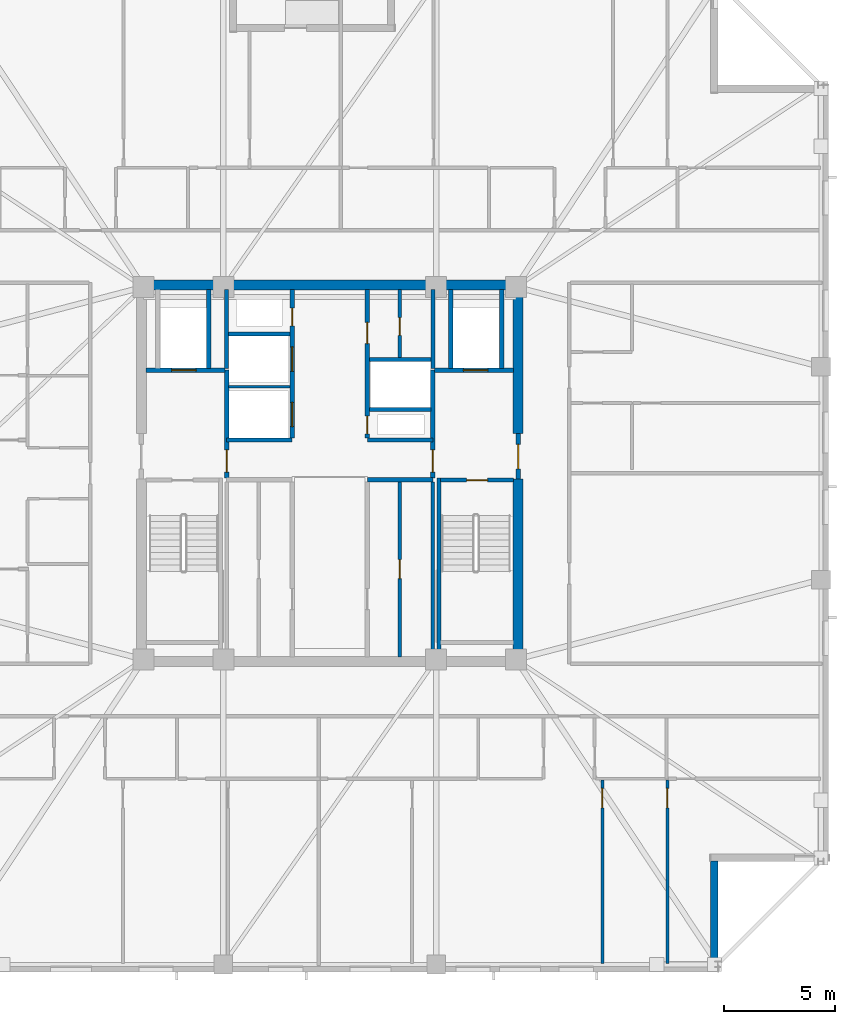
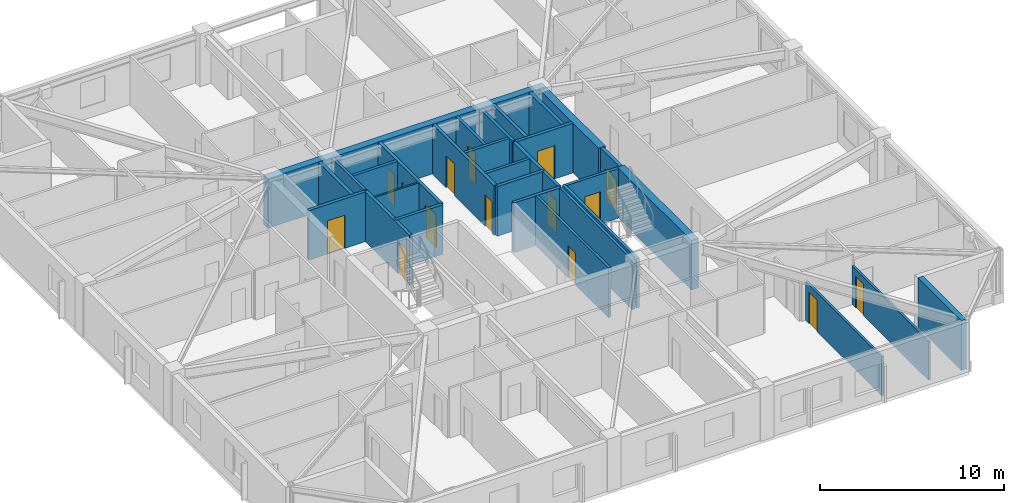
# One storey, part 9 of 17: 30 walls, 15 doors, 15 openings.
"""IFC4 building model written with IfcOpenShell, lengths in metres."""

from ifc_helpers import new_model, si_unit, direction, frame, frame_2d, origin, place, context, subcontext, project, spatial, rectangle, extrude, material, layer, layer_set, type_object, element, fill, save


model = new_model("IFC4")

# Units and contexts
model_context = context("Model", 3, precision=1e-05, world=origin(), true_north=direction((0.0, 1.0)))
body_context = subcontext(model_context, "Body", "Model", "MODEL_VIEW")
ifc_project = project(units=[si_unit("LENGTHUNIT", "METRE"), si_unit("AREAUNIT", "SQUARE_METRE"), si_unit("VOLUMEUNIT", "CUBIC_METRE"), si_unit("PLANEANGLEUNIT", "RADIAN"), si_unit("MASSUNIT", "GRAM", prefix="KILO")], contexts=[model_context])

# Site, building, storey
site_placement = place(None, origin())
site = spatial("IfcSite", under=ifc_project, at=site_placement, CompositionType="ELEMENT")
building_placement = place(site_placement, origin())
building = spatial("IfcBuilding", under=site, at=building_placement, Name="Cairnveth Concourse Tower", CompositionType="ELEMENT")
storey_placement = place(building_placement, frame((0.0, 0.0, 206.0)))
storey = spatial("IfcBuildingStorey", under=building, at=storey_placement, Name="L56", CompositionType="ELEMENT", Elevation=206.0)

# Wall
ifc_material_1 = material(Name="Gypsum Plasterboard Partition", Category="gypsum")
ifc_layer_1 = layer(ifc_material_1, 0.159912109375)
ifc_layer_set_1 = layer_set([ifc_layer_1], Name="Gypsum Plasterboard Partition")
wall_type_1 = type_object("IfcWallType", Name="ACOUSTIC PARTY WALL 180", PredefinedType="PARTITIONING", material=ifc_layer_set_1)
wall_1_placement = place(storey_placement, frame((56.64990234375, 30.7099609375, 0.0), z_axis=(0.0, 0.0, 1.0), x_axis=(0.0, 1.0, 0.0)))
element("IfcWall", 1, at=wall_1_placement, inside=storey, type_object=wall_type_1, Name="Interior Wall IW-L56-027", PredefinedType="PARTITIONING", context=body_context, shape_type="SweptSolid", body=[
    extrude(rectangle(XDim=7.905029296875, YDim=0.159912109375, at=frame_2d((3.95263671875, 0.0))), origin(), (0.0, 0.0, 1.0), 3.2900390625),
])

# Wall, opening, door
wall_2_placement = place(storey_placement, frame((55.14990234375, 30.7099609375, 0.0), z_axis=(0.0, 0.0, 1.0), x_axis=(0.0, 1.0, 0.0)))
wall_2 = element("IfcWall", 2, at=wall_2_placement, inside=storey, type_object=wall_type_1, Name="Interior Wall IW-L56-028", PredefinedType="PARTITIONING", context=body_context, shape_type="SweptSolid", body=[
    extrude(rectangle(XDim=7.905029296875, YDim=0.159912109375, at=frame_2d((3.95263671875, 0.0))), origin(), (0.0, 0.0, 1.0), 3.2900390625),
])
opening_1_placement = place(wall_2_placement, frame((3.5400390625, 0.0, 0.0)))
opening_1 = element("IfcOpeningElement", 3, at=opening_1_placement, cuts=wall_2, Name="Opening ID19", PredefinedType="OPENING", context=body_context, shape_type="SweptSolid", body=[
    extrude(rectangle(XDim=0.85009765625, YDim=2.1201171875, at=frame_2d((0.425048828125, 1.06005859375))), frame((0.0, 0.08984375, 0.0), z_axis=(0.0, -1.0, 0.0), x_axis=(1.0, 0.0, 0.0)), (0.0, 0.0, 1.0), 0.179931640625),
])
ifc_material_2 = material(Name="Steel Grade 350", Category="steel")
door_type_1 = type_object("IfcDoorType", Name="CORE SERVICE DOOR 850X2100", OperationType="NOTDEFINED", PredefinedType="DOOR", material=ifc_material_2)
door_1_placement = place(opening_1_placement, origin())
door_1 = element("IfcDoor", 4, at=door_1_placement, inside=storey, type_object=door_type_1, Name="Wine Cellar Door L56", OperationType="SINGLE_SWING_RIGHT", OverallHeight=2.1201171875, OverallWidth=0.85009765625, PredefinedType="DOOR", context=body_context, shape_type="SweptSolid", body=[
    extrude(rectangle(XDim=0.85009765625, YDim=2.1201171875, at=frame_2d((0.425048828125, 1.06005859375))), frame((0.0, 0.02490234375, 0.0), z_axis=(0.0, -1.0, 0.0), x_axis=(1.0, 0.0, 0.0)), (0.0, 0.0, 1.0), 0.050048828125),
])
fill(opening_1, door_1)

wall_3_placement = place(storey_placement, frame((55.14990234375, 44.195068359375, 0.0), z_axis=(0.0, 0.0, 1.0), x_axis=(0.0, 1.0, 0.0)))
wall_3 = element("IfcWall", 5, at=wall_3_placement, inside=storey, type_object=wall_type_1, Name="Interior Wall IW-L56-035", PredefinedType="PARTITIONING", context=body_context, shape_type="SweptSolid", body=[
    extrude(rectangle(XDim=3.094970703125, YDim=0.159912109375, at=frame_2d((1.54736328125, 0.0))), origin(), (0.0, 0.0, 1.0), 3.2900390625),
])
opening_2_placement = place(wall_3_placement, frame((1.02490234375, 0.0, 0.0)))
opening_2 = element("IfcOpeningElement", 6, at=opening_2_placement, cuts=wall_3, Name="Opening ID23", PredefinedType="OPENING", context=body_context, shape_type="SweptSolid", body=[
    extrude(rectangle(XDim=0.800048828125, YDim=2.10009765625, at=frame_2d((0.39990234375, 1.050048828125))), frame((0.0, 0.08984375, 0.0), z_axis=(0.0, -1.0, 0.0), x_axis=(1.0, 0.0, 0.0)), (0.0, 0.0, 1.0), 0.179931640625),
])
door_type_2 = type_object("IfcDoorType", Name="CORE SERVICE DOOR 800X2100", OperationType="NOTDEFINED", PredefinedType="DOOR", material=ifc_material_2)
door_2_placement = place(opening_2_placement, origin())
door_2 = element("IfcDoor", 7, at=door_2_placement, inside=storey, type_object=door_type_2, Name="NE Linen Closet Door L56", OperationType="SINGLE_SWING_RIGHT", OverallHeight=2.10009765625, OverallWidth=0.800048828125, PredefinedType="DOOR", context=body_context, shape_type="SweptSolid", body=[
    extrude(rectangle(XDim=0.800048828125, YDim=2.10009765625, at=frame_2d((0.39990234375, 1.050048828125))), frame((0.0, 0.02490234375, 0.0), z_axis=(0.0, -1.0, 0.0), x_axis=(1.0, 0.0, 0.0)), (0.0, 0.0, 1.0), 0.050048828125),
])
fill(opening_2, door_2)

# Walls
ifc_material_3 = material(Name="Concrete N65 (65 MPa)", Category="concrete")
ifc_layer_2 = layer(ifc_material_3, 0.449951171875)
ifc_layer_set_2 = layer_set([ifc_layer_2], Name="Concrete N65 (65 MPa)")
wall_type_2 = type_object("IfcWallType", Name="CORE SHEAR WALL 450", PredefinedType="SHEAR", material=ifc_layer_set_2)
wall_4_placement = place(storey_placement, frame((43.27490234375, 47.5, 0.0), z_axis=(0.0, 0.0, 1.0), x_axis=(1.0, 0.0, 0.0)))
element("IfcWall", 8, at=wall_4_placement, inside=storey, type_object=wall_type_2, Name="Core North Shear Wall L56", PredefinedType="SHEAR", context=body_context, shape_type="SweptSolid", body=[
    extrude(rectangle(XDim=17.4501953125, YDim=0.449951171875, at=frame_2d((8.72509765625, 0.0))), origin(), (0.0, 0.0, 1.0), 3.2900390625),
])
wall_5_placement = place(storey_placement, frame((60.5, 30.715087890625, 0.0), z_axis=(0.0, 0.0, 1.0), x_axis=(0.0, 1.0, 0.0)))
element("IfcWall", 9, at=wall_5_placement, inside=storey, type_object=wall_type_2, Name="Core East Shear Wall S L56", PredefinedType="SHEAR", context=body_context, shape_type="SweptSolid", body=[
    extrude(rectangle(XDim=8.034912109375, YDim=0.449951171875, at=frame_2d((4.017578125, 0.0))), origin(), (0.0, 0.0, 1.0), 3.2900390625),
])
wall_6_placement = place(storey_placement, frame((60.5, 40.800048828125, 0.0), z_axis=(0.0, 0.0, 1.0), x_axis=(0.0, 1.0, 0.0)))
element("IfcWall", 10, at=wall_6_placement, inside=storey, type_object=wall_type_2, Name="Core East Shear Wall N L56", PredefinedType="SHEAR", context=body_context, shape_type="SweptSolid", body=[
    extrude(rectangle(XDim=6.48486328125, YDim=0.449951171875, at=frame_2d((3.242431640625, 0.0))), origin(), (0.0, 0.0, 1.0), 3.2900390625),
])
ifc_material_4 = material(Name="Concrete N50 (50 MPa)", Category="concrete")
ifc_layer_3 = layer(ifc_material_4, 0.179931640625)
ifc_layer_set_3 = layer_set([ifc_layer_3], Name="Concrete N50 (50 MPa)")
wall_type_3 = type_object("IfcWallType", Name="FIRE SHAFT WALL 180", PredefinedType="SOLIDWALL", material=ifc_layer_set_3)
wall_7_placement = place(storey_placement, frame((47.35009765625, 43.735107421875, 0.0), z_axis=(0.0, 0.0, 1.0), x_axis=(0.0, 1.0, 0.0)))
element("IfcWall", 11, at=wall_7_placement, inside=storey, type_object=wall_type_3, Name="Interior Wall IW-L56-029", PredefinedType="SOLIDWALL", context=body_context, shape_type="SweptSolid", body=[
    extrude(rectangle(XDim=3.554931640625, YDim=0.179931640625, at=frame_2d((1.77734375, 0.0))), origin(), (0.0, 0.0, 1.0), 3.2900390625),
])
wall_8_placement = place(storey_placement, frame((47.425048828125, 45.280029296875, 0.0), z_axis=(0.0, 0.0, 1.0), x_axis=(1.0, 0.0, 0.0)))
element("IfcWall", 12, at=wall_8_placement, inside=storey, type_object=wall_type_3, Name="Interior Wall IW-L56-031", PredefinedType="SOLIDWALL", context=body_context, shape_type="SweptSolid", body=[
    extrude(rectangle(XDim=2.7900390625, YDim=0.179931640625, at=frame_2d((1.39501953125, 0.0))), origin(), (0.0, 0.0, 1.0), 3.2900390625),
])
wall_9_placement = place(storey_placement, frame((56.64990234375, 43.735107421875, 0.0), z_axis=(0.0, 0.0, 1.0), x_axis=(0.0, 1.0, 0.0)))
element("IfcWall", 13, at=wall_9_placement, inside=storey, type_object=wall_type_3, Name="Interior Wall IW-L56-032", PredefinedType="SOLIDWALL", context=body_context, shape_type="SweptSolid", body=[
    extrude(rectangle(XDim=3.554931640625, YDim=0.179931640625, at=frame_2d((1.77734375, 0.0))), origin(), (0.0, 0.0, 1.0), 3.2900390625),
])
wall_10_placement = place(storey_placement, frame((53.784912109375, 41.8798828125, 0.0), z_axis=(0.0, 0.0, 1.0), x_axis=(1.0, 0.0, 0.0)))
element("IfcWall", 14, at=wall_10_placement, inside=storey, type_object=wall_type_3, Name="Interior Wall IW-L56-033", PredefinedType="SOLIDWALL", context=body_context, shape_type="SweptSolid", body=[
    extrude(rectangle(XDim=2.780029296875, YDim=0.179931640625, at=frame_2d((1.39013671875, 0.0))), origin(), (0.0, 0.0, 1.0), 3.2900390625),
])
wall_11_placement = place(storey_placement, frame((53.784912109375, 44.1201171875, 0.0), z_axis=(0.0, 0.0, 1.0), x_axis=(1.0, 0.0, 0.0)))
element("IfcWall", 15, at=wall_11_placement, inside=storey, type_object=wall_type_3, Name="Interior Wall IW-L56-034", PredefinedType="SOLIDWALL", context=body_context, shape_type="SweptSolid", body=[
    extrude(rectangle(XDim=2.7900390625, YDim=0.179931640625, at=frame_2d((1.39501953125, 0.0))), origin(), (0.0, 0.0, 1.0), 3.2900390625),
])

# Wall, opening, door
wall_12_placement = place(storey_placement, frame((57.0048828125, 38.68994140625, 0.0), z_axis=(0.0, 0.0, 1.0), x_axis=(1.0, 0.0, 0.0)))
wall_12 = element("IfcWall", 16, at=wall_12_placement, inside=storey, type_object=wall_type_3, Name="Stair ST-2 Shaft Wall NEAR L56", PredefinedType="SOLIDWALL", context=body_context, shape_type="SweptSolid", body=[
    extrude(rectangle(XDim=3.280029296875, YDim=0.179931640625, at=frame_2d((1.64013671875, 0.0))), origin(), (0.0, 0.0, 1.0), 3.2900390625),
])
opening_3_placement = place(wall_12_placement, frame((1.1650390625, 0.0, 0.0)))
opening_3 = element("IfcOpeningElement", 17, at=opening_3_placement, cuts=wall_12, Name="Opening ID12", PredefinedType="OPENING", context=body_context, shape_type="SweptSolid", body=[
    extrude(rectangle(XDim=0.949951171875, YDim=2.14990234375, at=frame_2d((0.47509765625, 1.074951171875))), frame((0.0, 0.099853515625, 0.0), z_axis=(0.0, -1.0, 0.0), x_axis=(1.0, 0.0, 0.0)), (0.0, 0.0, 1.0), 0.199951171875),
])
door_type_3 = type_object("IfcDoorType", Name="FIRE STAIR DOOR 950X2150", OperationType="NOTDEFINED", PredefinedType="DOOR", material=ifc_material_2)
door_3_placement = place(opening_3_placement, origin())
door_3 = element("IfcDoor", 18, at=door_3_placement, inside=storey, type_object=door_type_3, Name="Stair ST-2 Fire Door L56", OperationType="SINGLE_SWING_RIGHT", OverallHeight=2.14990234375, OverallWidth=0.949951171875, PredefinedType="DOOR", context=body_context, shape_type="SweptSolid", body=[
    extrude(rectangle(XDim=0.949951171875, YDim=2.14990234375, at=frame_2d((0.47509765625, 1.074951171875))), frame((0.0, 0.02490234375, 0.0), z_axis=(0.0, -1.0, 0.0), x_axis=(1.0, 0.0, 0.0)), (0.0, 0.0, 1.0), 0.050048828125),
])
fill(opening_3, door_3)

# Walls
wall_13_placement = place(storey_placement, frame((56.929931640625, 38.780029296875, 0.0), z_axis=(0.0, 0.0, 1.0), x_axis=(0.0, -1.0, 0.0)))
element("IfcWall", 19, at=wall_13_placement, inside=storey, type_object=wall_type_3, Name="Stair ST-2 Shaft Wall LEFT L56", PredefinedType="SOLIDWALL", context=body_context, shape_type="SweptSolid", body=[
    extrude(rectangle(XDim=8.067138671875, YDim=0.179931640625, at=frame_2d((4.03369140625, 0.0))), origin(), (0.0, 0.0, 1.0), 3.2900390625),
])
ifc_layer_4 = layer(ifc_material_4, 0.199951171875)
ifc_layer_set_4 = layer_set([ifc_layer_4], Name="Concrete N50 (50 MPa)")
wall_type_4 = type_object("IfcWallType", Name="FIRE SHAFT WALL 200", PredefinedType="SOLIDWALL", material=ifc_layer_set_4)
for number, where, z_axis, x_axis, name in (
    (20, (47.35009765625, 40.5, 0.0), (0.0, 0.0, 1.0), (1.0, 0.0, 0.0), "Interior Wall IW-L56-008"),
    (21, (53.699951171875, 38.699951171875, 0.0), (0.0, 0.0, 1.0), (1.0, 0.0, 0.0), "Interior Wall IW-L56-009"),
    (22, (53.699951171875, 40.5, 0.0), (0.0, 0.0, 1.0), (1.0, 0.0, 0.0), "Interior Wall IW-L56-010"),
):
    element("IfcWall", number, at=place(storey_placement, frame(where, z_axis=z_axis, x_axis=x_axis)), inside=storey, type_object=wall_type_4, Name=name, PredefinedType="SOLIDWALL", context=body_context, shape_type="SweptSolid", body=[
        extrude(rectangle(XDim=2.949951171875, YDim=0.199951171875, at=frame_2d((1.47509765625, 0.0))), origin(), (0.0, 0.0, 1.0), 3.2900390625),
    ])

# Wall, openings, doors
wall_14_placement = place(storey_placement, frame((50.300048828125, 40.5849609375, 0.0), z_axis=(0.0, 0.0, 1.0), x_axis=(0.0, 1.0, 0.0)))
wall_14 = element("IfcWall", 23, at=wall_14_placement, inside=storey, type_object=wall_type_4, Name="Interior Wall IW-L56-013", PredefinedType="SOLIDWALL", context=body_context, shape_type="SweptSolid", body=[
    extrude(rectangle(XDim=6.705078125, YDim=0.199951171875, at=frame_2d((3.3525390625, 0.0))), origin(), (0.0, 0.0, 1.0), 3.2900390625),
])
opening_4_placement = place(wall_14_placement, frame((0.514892578125, 0.0, 0.0)))
opening_4 = element("IfcOpeningElement", 24, at=opening_4_placement, cuts=wall_14, Name="Opening LD-1", PredefinedType="OPENING", context=body_context, shape_type="SweptSolid", body=[
    extrude(rectangle(XDim=1.10009765625, YDim=2.199951171875, at=frame_2d((0.550048828125, 1.10009765625))), frame((0.0, 0.10986328125, 0.0), z_axis=(0.0, -1.0, 0.0), x_axis=(1.0, 0.0, 0.0)), (0.0, 0.0, 1.0), 0.219970703125),
])
opening_5_placement = place(wall_14_placement, frame((3.014892578125, 0.0, 0.0)))
opening_5 = element("IfcOpeningElement", 25, at=opening_5_placement, cuts=wall_14, Name="Opening LD-1", PredefinedType="OPENING", context=body_context, shape_type="SweptSolid", body=[
    extrude(rectangle(XDim=1.10009765625, YDim=2.199951171875, at=frame_2d((0.550048828125, 1.10009765625))), frame((0.0, 0.10986328125, 0.0), z_axis=(0.0, -1.0, 0.0), x_axis=(1.0, 0.0, 0.0)), (0.0, 0.0, 1.0), 0.219970703125),
])
opening_6_placement = place(wall_14_placement, frame((5.06494140625, 0.0, 0.0)))
opening_6 = element("IfcOpeningElement", 26, at=opening_6_placement, cuts=wall_14, Name="Opening ID24", PredefinedType="OPENING", context=body_context, shape_type="SweptSolid", body=[
    extrude(rectangle(XDim=0.800048828125, YDim=2.080078125, at=frame_2d((0.39990234375, 1.0400390625))), frame((0.0, 0.10986328125, 0.0), z_axis=(0.0, -1.0, 0.0), x_axis=(1.0, 0.0, 0.0)), (0.0, 0.0, 1.0), 0.219970703125),
])
ifc_material_5 = material(Name="Architectural Bronze Anodised Aluminium 6063-T6", Category="aluminium")
door_type_4 = type_object("IfcDoorType", Name="LIFT LANDING DOOR 1100X2200", OperationType="SLIDING_TO_LEFT", PredefinedType="DOOR", material=ifc_material_5)
door_4_placement = place(opening_4_placement, origin())
door_4 = element("IfcDoor", 27, at=door_4_placement, inside=storey, type_object=door_type_4, Name="Lift PL7 Landing Door L56", OperationType="SLIDING_TO_LEFT", OverallHeight=2.199951171875, OverallWidth=1.10009765625, PredefinedType="DOOR", context=body_context, shape_type="SweptSolid", body=[
    extrude(rectangle(XDim=1.10009765625, YDim=2.199951171875, at=frame_2d((0.550048828125, 1.10009765625))), frame((0.0, 0.02490234375, 0.0), z_axis=(0.0, -1.0, 0.0), x_axis=(1.0, 0.0, 0.0)), (0.0, 0.0, 1.0), 0.050048828125),
])
fill(opening_4, door_4)
door_5_placement = place(opening_5_placement, origin())
door_5 = element("IfcDoor", 28, at=door_5_placement, inside=storey, type_object=door_type_4, Name="Lift PL8 Landing Door L56", OperationType="SLIDING_TO_LEFT", OverallHeight=2.199951171875, OverallWidth=1.10009765625, PredefinedType="DOOR", context=body_context, shape_type="SweptSolid", body=[
    extrude(rectangle(XDim=1.10009765625, YDim=2.199951171875, at=frame_2d((0.550048828125, 1.10009765625))), frame((0.0, 0.02490234375, 0.0), z_axis=(0.0, -1.0, 0.0), x_axis=(1.0, 0.0, 0.0)), (0.0, 0.0, 1.0), 0.050048828125),
])
fill(opening_5, door_5)
door_type_5 = type_object("IfcDoorType", Name="RISER ACCESS DOOR 800X2100", OperationType="NOTDEFINED", PredefinedType="DOOR", material=ifc_material_2)
door_6_placement = place(opening_6_placement, origin())
door_6 = element("IfcDoor", 29, at=door_6_placement, inside=storey, type_object=door_type_5, Name="NW Electrical Riser Access Door L56", OperationType="SINGLE_SWING_LEFT", OverallHeight=2.080078125, OverallWidth=0.800048828125, PredefinedType="DOOR", context=body_context, shape_type="SweptSolid", body=[
    extrude(rectangle(XDim=0.800048828125, YDim=2.080078125, at=frame_2d((0.39990234375, 1.0400390625))), frame((0.0, 0.02490234375, 0.0), z_axis=(0.0, -1.0, 0.0), x_axis=(1.0, 0.0, 0.0)), (0.0, 0.0, 1.0), 0.050048828125),
])
fill(opening_6, door_6)

wall_15_placement = place(storey_placement, frame((53.699951171875, 40.5849609375, 0.0), z_axis=(0.0, 0.0, 1.0), x_axis=(0.0, 1.0, 0.0)))
wall_15 = element("IfcWall", 30, at=wall_15_placement, inside=storey, type_object=wall_type_4, Name="Interior Wall IW-L56-014", PredefinedType="SOLIDWALL", context=body_context, shape_type="SweptSolid", body=[
    extrude(rectangle(XDim=6.705078125, YDim=0.199951171875, at=frame_2d((3.3525390625, 0.0))), origin(), (0.0, 0.0, 1.0), 3.2900390625),
])
opening_7_placement = place(wall_15_placement, frame((0.195068359375, 0.0, 0.0)))
opening_7 = element("IfcOpeningElement", 31, at=opening_7_placement, cuts=wall_15, Name="Opening ID24", PredefinedType="OPENING", context=body_context, shape_type="SweptSolid", body=[
    extrude(rectangle(XDim=0.800048828125, YDim=2.080078125, at=frame_2d((0.39990234375, 1.0400390625))), frame((0.0, 0.10986328125, 0.0), z_axis=(0.0, -1.0, 0.0), x_axis=(1.0, 0.0, 0.0)), (0.0, 0.0, 1.0), 0.219970703125),
])
opening_8_placement = place(wall_15_placement, frame((4.264892578125, 0.0, 0.0)))
opening_8 = element("IfcOpeningElement", 32, at=opening_8_placement, cuts=wall_15, Name="Opening ID25", PredefinedType="OPENING", context=body_context, shape_type="SweptSolid", body=[
    extrude(rectangle(XDim=0.949951171875, YDim=2.1201171875, at=frame_2d((0.47509765625, 1.06005859375))), frame((0.0, 0.10986328125, 0.0), z_axis=(0.0, -1.0, 0.0), x_axis=(1.0, 0.0, 0.0)), (0.0, 0.0, 1.0), 0.219970703125),
])
door_type_6 = type_object("IfcDoorType", Name="CORE ACCESSIBLE FIRE DOOR 950X2120", OperationType="NOTDEFINED", PredefinedType="DOOR", material=ifc_material_2)
door_7_placement = place(opening_8_placement, origin())
door_7 = element("IfcDoor", 33, at=door_7_placement, inside=storey, type_object=door_type_6, Name="Core NE Restroom Door L56", OperationType="SINGLE_SWING_LEFT", OverallHeight=2.1201171875, OverallWidth=0.949951171875, PredefinedType="DOOR", context=body_context, shape_type="SweptSolid", body=[
    extrude(rectangle(XDim=0.949951171875, YDim=2.1201171875, at=frame_2d((0.47509765625, 1.06005859375))), frame((0.0, 0.02490234375, 0.0), z_axis=(0.0, -1.0, 0.0), x_axis=(1.0, 0.0, 0.0)), (0.0, 0.0, 1.0), 0.050048828125),
])
fill(opening_8, door_7)
door_8_placement = place(opening_7_placement, origin())
door_8 = element("IfcDoor", 34, at=door_8_placement, inside=storey, type_object=door_type_5, Name="Hydraulic Riser Door L56", OperationType="SINGLE_SWING_RIGHT", OverallHeight=2.080078125, OverallWidth=0.800048828125, PredefinedType="DOOR", context=body_context, shape_type="SweptSolid", body=[
    extrude(rectangle(XDim=0.800048828125, YDim=2.080078125, at=frame_2d((0.39990234375, 1.0400390625))), frame((0.0, 0.02490234375, 0.0), z_axis=(0.0, -1.0, 0.0), x_axis=(1.0, 0.0, 0.0)), (0.0, 0.0, 1.0), 0.050048828125),
])
fill(opening_7, door_8)

# Wall, opening, door
wall_16_placement = place(storey_placement, frame((47.35009765625, 38.784912109375, 0.0), z_axis=(0.0, 0.0, 1.0), x_axis=(0.0, 1.0, 0.0)))
wall_16 = element("IfcWall", 35, at=wall_16_placement, inside=storey, type_object=wall_type_4, Name="Interior Wall IW-L56-016", PredefinedType="SOLIDWALL", context=body_context, shape_type="SweptSolid", body=[
    extrude(rectangle(XDim=4.864990234375, YDim=0.199951171875, at=frame_2d((2.4326171875, 0.0))), origin(), (0.0, 0.0, 1.0), 3.2900390625),
])
opening_9_placement = place(wall_16_placement, frame((0.264892578125, 0.0, 0.0)))
opening_9 = element("IfcOpeningElement", 36, at=opening_9_placement, cuts=wall_16, Name="Opening ID07", PredefinedType="OPENING", context=body_context, shape_type="SweptSolid", body=[
    extrude(rectangle(XDim=1.0, YDim=2.14990234375, at=frame_2d((0.5, 1.074951171875))), frame((0.0, 0.10986328125, 0.0), z_axis=(0.0, -1.0, 0.0), x_axis=(1.0, 0.0, 0.0)), (0.0, 0.0, 1.0), 0.219970703125),
])
door_type_7 = type_object("IfcDoorType", Name="FIRE CORRIDOR DOOR 1000X2150", OperationType="NOTDEFINED", PredefinedType="DOOR", material=ifc_material_2)
door_9_placement = place(opening_9_placement, origin())
door_9 = element("IfcDoor", 37, at=door_9_placement, inside=storey, type_object=door_type_7, Name="FF Lobby West to Lift Lobby Door L56", OperationType="SINGLE_SWING_RIGHT", OverallHeight=2.14990234375, OverallWidth=1.0, PredefinedType="DOOR", context=body_context, shape_type="SweptSolid", body=[
    extrude(rectangle(XDim=1.0, YDim=2.14990234375, at=frame_2d((0.5, 1.074951171875))), frame((0.0, 0.02490234375, 0.0), z_axis=(0.0, -1.0, 0.0), x_axis=(1.0, 0.0, 0.0)), (0.0, 0.0, 1.0), 0.050048828125),
])
fill(opening_9, door_9)

wall_17_placement = place(storey_placement, frame((43.7099609375, 43.64990234375, 0.0), z_axis=(0.0, 0.0, 1.0), x_axis=(1.0, 0.0, 0.0)))
wall_17 = element("IfcWall", 38, at=wall_17_placement, inside=storey, type_object=wall_type_4, Name="Interior Wall IW-L56-017", PredefinedType="SOLIDWALL", context=body_context, shape_type="SweptSolid", body=[
    extrude(rectangle(XDim=3.554931640625, YDim=0.199951171875, at=frame_2d((1.77734375, 0.0))), origin(), (0.0, 0.0, 1.0), 3.2900390625),
])
opening_10_placement = place(wall_17_placement, frame((1.159912109375, 0.0, 0.0)))
opening_10 = element("IfcOpeningElement", 39, at=opening_10_placement, cuts=wall_17, Name="Opening LD-1", PredefinedType="OPENING", context=body_context, shape_type="SweptSolid", body=[
    extrude(rectangle(XDim=1.10009765625, YDim=2.199951171875, at=frame_2d((0.550048828125, 1.10009765625))), frame((0.0, 0.10986328125, 0.0), z_axis=(0.0, -1.0, 0.0), x_axis=(1.0, 0.0, 0.0)), (0.0, 0.0, 1.0), 0.219970703125),
])
door_10_placement = place(opening_10_placement, origin())
door_10 = element("IfcDoor", 40, at=door_10_placement, inside=storey, type_object=door_type_4, Name="Lift FFL1 Landing Door L56", OperationType="SLIDING_TO_LEFT", OverallHeight=2.199951171875, OverallWidth=1.10009765625, PredefinedType="DOOR", context=body_context, shape_type="SweptSolid", body=[
    extrude(rectangle(XDim=1.10009765625, YDim=2.199951171875, at=frame_2d((0.550048828125, 1.10009765625))), frame((0.0, 0.02490234375, 0.0), z_axis=(0.0, -1.0, 0.0), x_axis=(1.0, 0.0, 0.0)), (0.0, 0.0, 1.0), 0.050048828125),
])
fill(opening_10, door_10)

# Wall
wall_18_placement = place(storey_placement, frame((46.550048828125, 43.735107421875, 0.0), z_axis=(0.0, 0.0, 1.0), x_axis=(0.0, 1.0, 0.0)))
element("IfcWall", 41, at=wall_18_placement, inside=storey, type_object=wall_type_4, Name="Interior Wall IW-L56-018", PredefinedType="SOLIDWALL", context=body_context, shape_type="SweptSolid", body=[
    extrude(rectangle(XDim=3.554931640625, YDim=0.199951171875, at=frame_2d((1.77734375, 0.0))), origin(), (0.0, 0.0, 1.0), 3.2900390625),
])

# Wall, opening, door
wall_19_placement = place(storey_placement, frame((60.5, 38.75, 0.0), z_axis=(0.0, 0.0, 1.0), x_axis=(0.0, 1.0, 0.0)))
wall_19 = element("IfcWall", 42, at=wall_19_placement, inside=storey, type_object=wall_type_4, Name="Interior Wall IW-L56-020", PredefinedType="SOLIDWALL", context=body_context, shape_type="SweptSolid", body=[
    extrude(rectangle(XDim=2.050048828125, YDim=0.199951171875, at=frame_2d((1.02490234375, 0.0))), origin(), (0.0, 0.0, 1.0), 3.2900390625),
])
opening_11_placement = place(wall_19_placement, frame((0.449951171875, 0.0, 0.0)))
opening_11 = element("IfcOpeningElement", 43, at=opening_11_placement, cuts=wall_19, Name="Opening ID06", PredefinedType="OPENING", context=body_context, shape_type="SweptSolid", body=[
    extrude(rectangle(XDim=1.10009765625, YDim=2.14990234375, at=frame_2d((0.550048828125, 1.074951171875))), frame((0.0, 0.10986328125, 0.0), z_axis=(0.0, -1.0, 0.0), x_axis=(1.0, 0.0, 0.0)), (0.0, 0.0, 1.0), 0.219970703125),
])
door_type_8 = type_object("IfcDoorType", Name="FIRE CORRIDOR DOOR 1100X2150", OperationType="NOTDEFINED", PredefinedType="DOOR", material=ifc_material_2)
door_11_placement = place(opening_11_placement, origin())
door_11 = element("IfcDoor", 44, at=door_11_placement, inside=storey, type_object=door_type_8, Name="East Wing to FF Lobby Door L56", OperationType="SINGLE_SWING_RIGHT", OverallHeight=2.14990234375, OverallWidth=1.10009765625, PredefinedType="DOOR", context=body_context, shape_type="SweptSolid", body=[
    extrude(rectangle(XDim=1.10009765625, YDim=2.14990234375, at=frame_2d((0.550048828125, 1.074951171875))), frame((0.0, 0.02490234375, 0.0), z_axis=(0.0, -1.0, 0.0), x_axis=(1.0, 0.0, 0.0)), (0.0, 0.0, 1.0), 0.050048828125),
])
fill(opening_11, door_11)

wall_20_placement = place(storey_placement, frame((56.64990234375, 38.784912109375, 0.0), z_axis=(0.0, 0.0, 1.0), x_axis=(0.0, 1.0, 0.0)))
wall_20 = element("IfcWall", 45, at=wall_20_placement, inside=storey, type_object=wall_type_4, Name="Interior Wall IW-L56-021", PredefinedType="SOLIDWALL", context=body_context, shape_type="SweptSolid", body=[
    extrude(rectangle(XDim=4.864990234375, YDim=0.199951171875, at=frame_2d((2.4326171875, 0.0))), origin(), (0.0, 0.0, 1.0), 3.2900390625),
])
opening_12_placement = place(wall_20_placement, frame((0.264892578125, 0.0, 0.0)))
opening_12 = element("IfcOpeningElement", 46, at=opening_12_placement, cuts=wall_20, Name="Opening ID07", PredefinedType="OPENING", context=body_context, shape_type="SweptSolid", body=[
    extrude(rectangle(XDim=1.0, YDim=2.14990234375, at=frame_2d((0.5, 1.074951171875))), frame((0.0, 0.10986328125, 0.0), z_axis=(0.0, -1.0, 0.0), x_axis=(1.0, 0.0, 0.0)), (0.0, 0.0, 1.0), 0.219970703125),
])
door_12_placement = place(opening_12_placement, origin())
door_12 = element("IfcDoor", 47, at=door_12_placement, inside=storey, type_object=door_type_7, Name="FF Lobby East to Lift Lobby Door L56", OperationType="SINGLE_SWING_LEFT", OverallHeight=2.14990234375, OverallWidth=1.0, PredefinedType="DOOR", context=body_context, shape_type="SweptSolid", body=[
    extrude(rectangle(XDim=1.0, YDim=2.14990234375, at=frame_2d((0.5, 1.074951171875))), frame((0.0, 0.02490234375, 0.0), z_axis=(0.0, -1.0, 0.0), x_axis=(1.0, 0.0, 0.0)), (0.0, 0.0, 1.0), 0.050048828125),
])
fill(opening_12, door_12)

wall_21_placement = place(storey_placement, frame((56.735107421875, 43.64990234375, 0.0), z_axis=(0.0, 0.0, 1.0), x_axis=(1.0, 0.0, 0.0)))
wall_21 = element("IfcWall", 48, at=wall_21_placement, inside=storey, type_object=wall_type_4, Name="Interior Wall IW-L56-022", PredefinedType="SOLIDWALL", context=body_context, shape_type="SweptSolid", body=[
    extrude(rectangle(XDim=3.554931640625, YDim=0.199951171875, at=frame_2d((1.77734375, 0.0))), origin(), (0.0, 0.0, 1.0), 3.2900390625),
])
opening_13_placement = place(wall_21_placement, frame((1.294921875, 0.0, 0.0)))
opening_13 = element("IfcOpeningElement", 49, at=opening_13_placement, cuts=wall_21, Name="Opening LD-1", PredefinedType="OPENING", context=body_context, shape_type="SweptSolid", body=[
    extrude(rectangle(XDim=1.10009765625, YDim=2.199951171875, at=frame_2d((0.550048828125, 1.10009765625))), frame((0.0, 0.10986328125, 0.0), z_axis=(0.0, -1.0, 0.0), x_axis=(1.0, 0.0, 0.0)), (0.0, 0.0, 1.0), 0.219970703125),
])
door_13_placement = place(opening_13_placement, origin())
door_13 = element("IfcDoor", 50, at=door_13_placement, inside=storey, type_object=door_type_4, Name="Lift FFL2 Landing Door L56", OperationType="SLIDING_TO_LEFT", OverallHeight=2.199951171875, OverallWidth=1.10009765625, PredefinedType="DOOR", context=body_context, shape_type="SweptSolid", body=[
    extrude(rectangle(XDim=1.10009765625, YDim=2.199951171875, at=frame_2d((0.550048828125, 1.10009765625))), frame((0.0, 0.02490234375, 0.0), z_axis=(0.0, -1.0, 0.0), x_axis=(1.0, 0.0, 0.0)), (0.0, 0.0, 1.0), 0.050048828125),
])
fill(opening_13, door_13)

# Walls
for number, where, z_axis, x_axis, name in (
    (51, (57.449951171875, 43.735107421875, 0.0), (0.0, 0.0, 1.0), (0.0, 1.0, 0.0), "Interior Wall IW-L56-023"),
    (52, (59.75, 43.735107421875, 0.0), (0.0, 0.0, 1.0), (0.0, 1.0, 0.0), "Interior Wall IW-L56-024"),
):
    element("IfcWall", number, at=place(storey_placement, frame(where, z_axis=z_axis, x_axis=x_axis)), inside=storey, type_object=wall_type_4, Name=name, PredefinedType="SOLIDWALL", context=body_context, shape_type="SweptSolid", body=[
        extrude(rectangle(XDim=3.554931640625, YDim=0.199951171875, at=frame_2d((1.77734375, 0.0))), origin(), (0.0, 0.0, 1.0), 3.2900390625),
    ])

# Wall, opening, door
ifc_layer_5 = layer(ifc_material_1, 0.139892578125)
ifc_layer_set_5 = layer_set([ifc_layer_5], Name="Gypsum Plasterboard Partition")
wall_type_5 = type_object("IfcWallType", Name="GYPSUM STUD PARTITION 140", PredefinedType="PARTITIONING", material=ifc_layer_set_5)
wall_22_placement = place(storey_placement, frame((67.22998046875, 16.8798828125, 0.0), z_axis=(0.0, 0.0, 1.0), x_axis=(0.0, 1.0, 0.0)))
wall_22 = element("IfcWall", 53, at=wall_22_placement, inside=storey, type_object=wall_type_5, Name="Interior Wall IW-L56-064", PredefinedType="PARTITIONING", context=body_context, shape_type="SweptSolid", body=[
    extrude(rectangle(XDim=8.2900390625, YDim=0.139892578125, at=frame_2d((4.14501953125, 0.0))), origin(), (0.0, 0.0, 1.0), 2.572998046875),
])
opening_14_placement = place(wall_22_placement, frame((7.030029296875, 0.0, 0.0)))
opening_14 = element("IfcOpeningElement", 54, at=opening_14_placement, cuts=wall_22, Name="Opening ID18", PredefinedType="OPENING", context=body_context, shape_type="SweptSolid", body=[
    extrude(rectangle(XDim=0.8798828125, YDim=2.10009765625, at=frame_2d((0.43994140625, 1.050048828125))), frame((0.0, 0.079833984375, 0.0), z_axis=(0.0, -1.0, 0.0), x_axis=(1.0, 0.0, 0.0)), (0.0, 0.0, 1.0), 0.159912109375),
])
ifc_material_6 = material(Name="Solid Core Hardwood Timber Leaf", Category="wood")
door_type_9 = type_object("IfcDoorType", Name="INTERIOR SINGLE DOOR 880X2100", OperationType="NOTDEFINED", PredefinedType="DOOR", material=ifc_material_6)
door_14_placement = place(opening_14_placement, origin())
door_14 = element("IfcDoor", 55, at=door_14_placement, inside=storey, type_object=door_type_9, Name="L56S2 Bedroom 2 Door", OperationType="SINGLE_SWING_RIGHT", OverallHeight=2.10009765625, OverallWidth=0.8798828125, PredefinedType="DOOR", context=body_context, shape_type="SweptSolid", body=[
    extrude(rectangle(XDim=0.8798828125, YDim=2.10009765625, at=frame_2d((0.43994140625, 1.050048828125))), frame((0.0, 0.02490234375, 0.0), z_axis=(0.0, -1.0, 0.0), x_axis=(1.0, 0.0, 0.0)), (0.0, 0.0, 1.0), 0.050048828125),
])
fill(opening_14, door_14)

wall_23_placement = place(storey_placement, frame((64.296142578125, 16.8798828125, 0.0), z_axis=(0.0, 0.0, 1.0), x_axis=(0.0, 1.0, 0.0)))
wall_23 = element("IfcWall", 56, at=wall_23_placement, inside=storey, type_object=wall_type_5, Name="Interior Wall IW-L56-066", PredefinedType="PARTITIONING", context=body_context, shape_type="SweptSolid", body=[
    extrude(rectangle(XDim=8.2900390625, YDim=0.139892578125, at=frame_2d((4.14501953125, 0.0))), origin(), (0.0, 0.0, 1.0), 2.572998046875),
])
opening_15_placement = place(wall_23_placement, frame((7.030029296875, 0.0, 0.0)))
opening_15 = element("IfcOpeningElement", 57, at=opening_15_placement, cuts=wall_23, Name="Opening ID18", PredefinedType="OPENING", context=body_context, shape_type="SweptSolid", body=[
    extrude(rectangle(XDim=0.8798828125, YDim=2.10009765625, at=frame_2d((0.43994140625, 1.050048828125))), frame((0.0, 0.079833984375, 0.0), z_axis=(0.0, -1.0, 0.0), x_axis=(1.0, 0.0, 0.0)), (0.0, 0.0, 1.0), 0.159912109375),
])
door_15_placement = place(opening_15_placement, origin())
door_15 = element("IfcDoor", 58, at=door_15_placement, inside=storey, type_object=door_type_9, Name="L56S2 Media Lounge Door", OperationType="SINGLE_SWING_LEFT", OverallHeight=2.10009765625, OverallWidth=0.8798828125, PredefinedType="DOOR", context=body_context, shape_type="SweptSolid", body=[
    extrude(rectangle(XDim=0.8798828125, YDim=2.10009765625, at=frame_2d((0.43994140625, 1.050048828125))), frame((0.0, 0.02490234375, 0.0), z_axis=(0.0, -1.0, 0.0), x_axis=(1.0, 0.0, 0.0)), (0.0, 0.0, 1.0), 0.050048828125),
])
fill(opening_15, door_15)

# Walls
ifc_layer_6 = layer(ifc_material_1, 0.110107421875)
ifc_layer_set_6 = layer_set([ifc_layer_6], Name="Gypsum Plasterboard Partition")
wall_type_6 = type_object("IfcWallType", Name="SHAFT DIVIDER WALL 140", PredefinedType="PARTITIONING", material=ifc_layer_set_6)
wall_24_placement = place(storey_placement, frame((47.43505859375, 42.89990234375, 0.0), z_axis=(0.0, 0.0, 1.0), x_axis=(1.0, 0.0, 0.0)))
element("IfcWall", 59, at=wall_24_placement, inside=storey, type_object=wall_type_6, Name="Interior Wall IW-L56-030", PredefinedType="PARTITIONING", context=body_context, shape_type="SweptSolid", body=[
    extrude(rectangle(XDim=2.780029296875, YDim=0.110107421875, at=frame_2d((1.39013671875, 0.0))), origin(), (0.0, 0.0, 1.0), 3.2900390625),
])
ifc_material_7 = material(Name="Melbourne Buff Fired Clay Brick Masonry", Category="masonry")
ifc_layer_7 = layer(ifc_material_7, 0.320068359375)
ifc_layer_set_7 = layer_set([ifc_layer_7], Name="Melbourne Buff Fired Clay Brick Masonry")
wall_type_7 = type_object("IfcWallType", Name="ZONE 3 BRICK PIER SPANDREL WALL 320", PredefinedType="SOLIDWALL", material=ifc_layer_set_7)
wall_25_placement = place(storey_placement, frame((69.340087890625, 21.52197265625, 0.0), z_axis=(0.0, 0.0, 1.0), x_axis=(0.0, -1.0, 0.0)))
element("IfcWall", 60, at=wall_25_placement, inside=storey, type_object=wall_type_7, Name="Exterior Wall EW-L56-S05", PredefinedType="SOLIDWALL", context=body_context, shape_type="SweptSolid", body=[
    extrude(rectangle(XDim=4.723876953125, YDim=0.320068359375, at=frame_2d((2.36181640625, 0.0))), origin(), (0.0, 0.0, 1.0), 3.2900390625),
])

save(model, "model.ifc")
